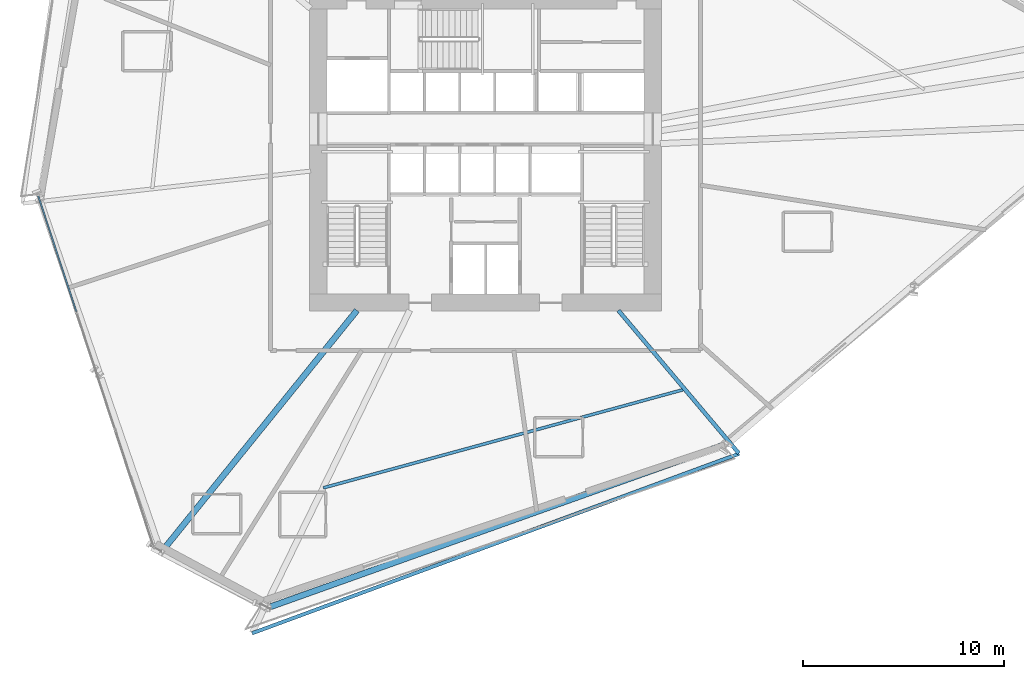
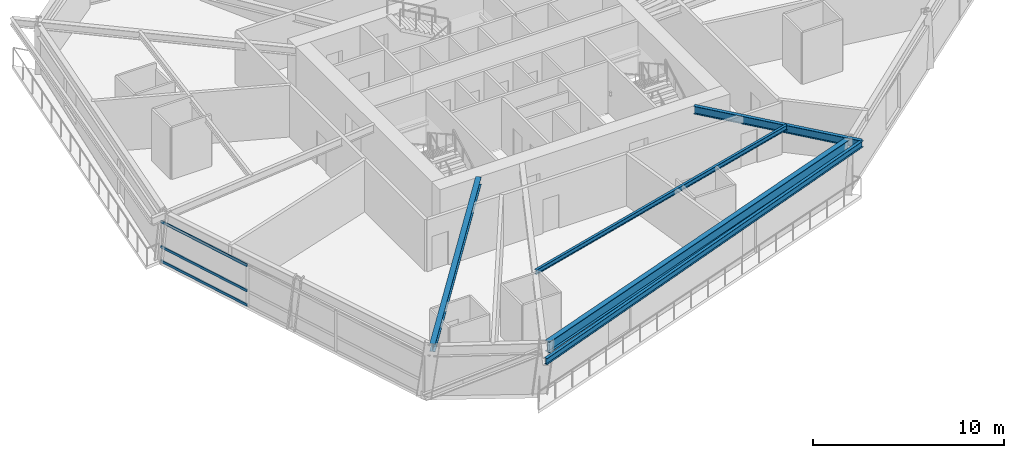
# One storey, part 5 of 22: 5 beams, 3 members, 1 element without a shape of its own.
"""IFC4 building model written with IfcOpenShell, lengths in metres."""

from ifc_helpers import new_model, si_unit, direction, frame, origin, origin_2d, place, context, subcontext, project, spatial, hollow_rectangle, i_section, extrude, source, transform, mapped, material, material_profile, profile_set, type_object, element, aggregate, save


model = new_model("IFC4")

# Units and contexts
model_context = context("Model", 3, precision=1e-05, world=origin(), true_north=direction((0.0, 1.0)))
body_context = subcontext(model_context, "Body", "Model", "MODEL_VIEW")
ifc_project = project(units=[si_unit("LENGTHUNIT", "METRE"), si_unit("AREAUNIT", "SQUARE_METRE"), si_unit("VOLUMEUNIT", "CUBIC_METRE"), si_unit("PLANEANGLEUNIT", "RADIAN"), si_unit("MASSUNIT", "GRAM", prefix="KILO")], contexts=[model_context])

# Site, building, storey
site_placement = place(None, origin())
site = spatial("IfcSite", under=ifc_project, at=site_placement, CompositionType="ELEMENT")
building_placement = place(site_placement, origin())
building = spatial("IfcBuilding", under=site, at=building_placement, Name="Olszyna Solenne Hotel", CompositionType="ELEMENT")
storey_placement = place(building_placement, frame((0.0, 0.0, 57.699951171875)))
storey = spatial("IfcBuildingStorey", under=building, at=storey_placement, Name="L14", CompositionType="ELEMENT", Elevation=57.699951171875)

# Beams
ifc_material_1 = material(Name="Steel S355J2", Category="steel")
ifc_material_profile_1 = material_profile(ifc_material_1, i_section(OverallWidth=0.300048828125, OverallDepth=0.699951171875, WebThickness=0.01708984375, FlangeThickness=0.031982421875, at=origin_2d()), Name="HEB 700", Category="load-bearing")
ifc_profile_set_1 = profile_set([ifc_material_profile_1], Name="Steel S355J2")
beam_type_1 = type_object("IfcBeamType", Name="BM-S1", PredefinedType="BEAM", material=ifc_profile_set_1)
shared_shape_1 = source(origin(), body_context, "Body", "SweptSolid", [
    extrude(i_section(OverallWidth=0.300048828125, OverallDepth=0.699951171875, WebThickness=0.01708984375, FlangeThickness=0.031982421875, at=origin_2d()), origin(), (0.0, 0.0, 1.0), 24.265380859375),
])
beam_1_placement = place(storey_placement, frame((27.22021484375, 3.91455078125, 2.949951171875), z_axis=(0.941798350891, 0.336178325089, 0.0), x_axis=(-0.336178325089, 0.941798350891, 0.0)))
element("IfcBeam", 1, at=beam_1_placement, inside=storey, type_object=beam_type_1, Name="Perimeter spandrel beam BM-S1 B-L14-0445", PredefinedType="BEAM", context=body_context, shape_type="MappedRepresentation", body=[
    mapped(shared_shape_1, transform((0.0, 0.0, 0.0), x_axis=(1.0, 0.0, 0.0), y_axis=(0.0, 1.0, 0.0), z_axis=(0.0, 0.0, 1.0), scale=1.0)),
])
ifc_material_profile_2 = material_profile(ifc_material_1, i_section(OverallWidth=0.300048828125, OverallDepth=0.489990234375, WebThickness=0.011962890625, FlangeThickness=0.02294921875, at=origin_2d()), Name="HEA 500", Category="load-bearing")
ifc_profile_set_2 = profile_set([ifc_material_profile_2], Name="Steel S355J2")
beam_type_2 = type_object("IfcBeamType", Name="BM-G1", PredefinedType="BEAM", material=ifc_profile_set_2)
shared_shape_2 = source(origin(), body_context, "Body", "SweptSolid", [
    extrude(i_section(OverallWidth=0.300048828125, OverallDepth=0.489990234375, WebThickness=0.011962890625, FlangeThickness=0.02294921875, at=origin_2d()), origin(), (0.0, 0.0, 1.0), 15.431396484375),
])
beam_2_placement = place(storey_placement, frame((21.893310546875, 6.6923828125, 3.054931640625), z_axis=(0.628984294679, 0.777418006639, 0.0), x_axis=(-0.777418006639, 0.628984294679, 0.0)))
element("IfcBeam", 2, at=beam_2_placement, inside=storey, type_object=beam_type_2, Name="Radial floor girder BM-G1 B-L14-0454", PredefinedType="BEAM", context=body_context, shape_type="MappedRepresentation", body=[
    mapped(shared_shape_2, transform((0.0, 0.0, 0.0), x_axis=(1.0, 0.0, 0.0), y_axis=(0.0, 1.0, 0.0), z_axis=(0.0, 0.0, 1.0), scale=1.0)),
])
ifc_material_profile_3 = material_profile(ifc_material_1, i_section(OverallWidth=0.199951171875, OverallDepth=0.5, WebThickness=0.01025390625, FlangeThickness=0.01611328125, at=origin_2d()), Name="IPE 500", Category="load-bearing")
ifc_profile_set_3 = profile_set([ifc_material_profile_3], Name="Steel S355J2")
beam_type_3 = type_object("IfcBeamType", Name="BM-F3", PredefinedType="BEAM", material=ifc_profile_set_3)
shared_shape_3 = source(origin(), body_context, "Body", "SweptSolid", [
    extrude(i_section(OverallWidth=0.199951171875, OverallDepth=0.5, WebThickness=0.01025390625, FlangeThickness=0.01611328125, at=origin_2d()), origin(), (0.0, 0.0, 1.0), 9.30322265625),
])
beam_3_placement = place(storey_placement, frame((50.610595703125, 11.5751953125, 3.050048828125), z_axis=(-0.644495289362, 0.764608280095, 0.0), x_axis=(-0.764608280095, -0.644495289362, 0.0)))
element("IfcBeam", 3, at=beam_3_placement, inside=storey, type_object=beam_type_3, Name="Radial floor girder BM-F3 B-L14-0456", PredefinedType="BEAM", context=body_context, shape_type="MappedRepresentation", body=[
    mapped(shared_shape_3, transform((0.0, 0.0, 0.0), x_axis=(1.0, 0.0, 0.0), y_axis=(0.0, 1.0, 0.0), z_axis=(0.0, 0.0, 1.0), scale=1.0)),
])
ifc_material_profile_4 = material_profile(ifc_material_1, i_section(OverallWidth=0.14990234375, OverallDepth=0.300048828125, WebThickness=0.007080078125, FlangeThickness=0.0107421875, at=origin_2d()), Name="IPE 300", Category="load-bearing")
ifc_profile_set_4 = profile_set([ifc_material_profile_4], Name="Steel S355J2")
beam_type_4 = type_object("IfcBeamType", Name="JS-02", PredefinedType="JOIST", material=ifc_profile_set_4)
shared_shape_4 = source(origin(), body_context, "Body", "SweptSolid", [
    extrude(i_section(OverallWidth=0.14990234375, OverallDepth=0.300048828125, WebThickness=0.007080078125, FlangeThickness=0.0107421875, at=origin_2d()), origin(), (0.0, 0.0, 1.0), 18.625),
])
beam_4_placement = place(storey_placement, frame((29.93212890625, 9.860107421875, 3.150146484375), z_axis=(0.964737801773, 0.263212791918, 0.0), x_axis=(-0.263212791918, 0.964737801773, 0.0)))
element("IfcBeam", 4, at=beam_4_placement, inside=storey, type_object=beam_type_4, Name="Secondary composite floor joist JS-02 B-L14-0462", PredefinedType="JOIST", context=body_context, shape_type="MappedRepresentation", body=[
    mapped(shared_shape_4, transform((0.0, 0.0, 0.0), x_axis=(1.0, 0.0, 0.0), y_axis=(0.0, 1.0, 0.0), z_axis=(0.0, 0.0, 1.0), scale=1.0)),
])
ifc_material_profile_5 = material_profile(ifc_material_1, i_section(OverallWidth=0.179931640625, OverallDepth=0.39990234375, WebThickness=0.008544921875, FlangeThickness=0.013427734375, at=origin_2d()), Name="IPE 400", Category="load-bearing")
ifc_profile_set_5 = profile_set([ifc_material_profile_5], Name="Steel S355J2")
beam_type_5 = type_object("IfcBeamType", Name="BM-F5", PredefinedType="BEAM", material=ifc_profile_set_5)
shared_shape_5 = source(origin(), body_context, "Body", "SweptSolid", [
    extrude(i_section(OverallWidth=0.179931640625, OverallDepth=0.39990234375, WebThickness=0.008544921875, FlangeThickness=0.013427734375, at=origin_2d()), origin(), (0.0, 0.0, 1.0), 25.83642578125),
])
beam_5_placement = place(storey_placement, frame((26.382568359375, 2.621826171875, 3.10009765625), z_axis=(0.938250800902, 0.345955827536, 0.0), x_axis=(-0.345955827536, 0.938250800902, 0.0)))
element("IfcBeam", 5, at=beam_5_placement, inside=storey, type_object=beam_type_5, Name="Loggia outer edge beam BM-F5 B-L14-0465", PredefinedType="BEAM", context=body_context, shape_type="MappedRepresentation", body=[
    mapped(shared_shape_5, transform((0.0, 0.0, 0.0), x_axis=(1.0, 0.0, 0.0), y_axis=(0.0, 1.0, 0.0), z_axis=(0.0, 0.0, 1.0), scale=1.0)),
])

# Curtain wall, members
ifc_material_2 = material(Name="Anodised bronze aluminium", Category="aluminium")
curtain_wall_type = type_object("IfcCurtainWallType", Name="CW-SYS-2", PredefinedType="NOTDEFINED", material=ifc_material_2)
curtain_wall_placement = place(storey_placement, origin())
curtain_wall = element("IfcCurtainWall", 6, at=curtain_wall_placement, inside=storey, type_object=curtain_wall_type, Name="Unitised curtain wall CW-SYS-2 CW-L14-01", PredefinedType="NOTDEFINED")
ifc_material_profile_6 = material_profile(ifc_material_2, hollow_rectangle(XDim=0.074951171875, YDim=0.159912109375, WallThickness=0.00390625, at=origin_2d()), Name="TRAN 160x75x4", Category="load-bearing")
ifc_profile_set_6 = profile_set([ifc_material_profile_6], Name="Anodised bronze aluminium")
member_type = type_object("IfcMemberType", Name="CW-T1", PredefinedType="USERDEFINED", material=ifc_profile_set_6)
shared_shape_6 = source(origin(), body_context, "Body", "SweptSolid", [
    extrude(hollow_rectangle(XDim=0.074951171875, YDim=0.159912109375, WallThickness=0.00390625, at=origin_2d()), origin(), (0.0, 0.0, 1.0), 6.05419921875),
])
member_1_placement = place(storey_placement, frame((15.74072265625, 24.388671875, 0.03759765625), z_axis=(0.312644597438, -0.949870178337, 0.0), x_axis=(0.949870178337, 0.312644597438, 0.0)))
member_1 = element("IfcMember", 7, at=member_1_placement, type_object=member_type, Name="Curtain-wall transom CW-T1 CT-L14-01-01", ObjectType="TRANSOM", PredefinedType="USERDEFINED", context=body_context, shape_type="MappedRepresentation", body=[
    mapped(shared_shape_6, transform((0.0, 0.0, 0.0), x_axis=(1.0, 0.0, 0.0), y_axis=(0.0, 1.0, 0.0), z_axis=(0.0, 0.0, 1.0), scale=1.0)),
])
member_2_placement = place(storey_placement, frame((15.74072265625, 24.388671875, 0.949951171875), z_axis=(0.312644597438, -0.949870178337, 0.0), x_axis=(0.949870178337, 0.312644597438, 0.0)))
member_2 = element("IfcMember", 8, at=member_2_placement, type_object=member_type, Name="Curtain-wall transom CW-T1 CT-L14-01-02", ObjectType="TRANSOM", PredefinedType="USERDEFINED", context=body_context, shape_type="MappedRepresentation", body=[
    mapped(shared_shape_6, transform((0.0, 0.0, 0.0), x_axis=(1.0, 0.0, 0.0), y_axis=(0.0, 1.0, 0.0), z_axis=(0.0, 0.0, 1.0), scale=1.0)),
])
member_3_placement = place(storey_placement, frame((15.74072265625, 24.388671875, 2.554443359375), z_axis=(0.312644597438, -0.949870178337, 0.0), x_axis=(0.949870178337, 0.312644597438, 0.0)))
member_3 = element("IfcMember", 9, at=member_3_placement, type_object=member_type, Name="Curtain-wall transom CW-T1 CT-L14-01-03", ObjectType="TRANSOM", PredefinedType="USERDEFINED", context=body_context, shape_type="MappedRepresentation", body=[
    mapped(shared_shape_6, transform((0.0, 0.0, 0.0), x_axis=(1.0, 0.0, 0.0), y_axis=(0.0, 1.0, 0.0), z_axis=(0.0, 0.0, 1.0), scale=1.0)),
])
aggregate(curtain_wall, [member_1, member_2, member_3])

save(model, "model.ifc")
